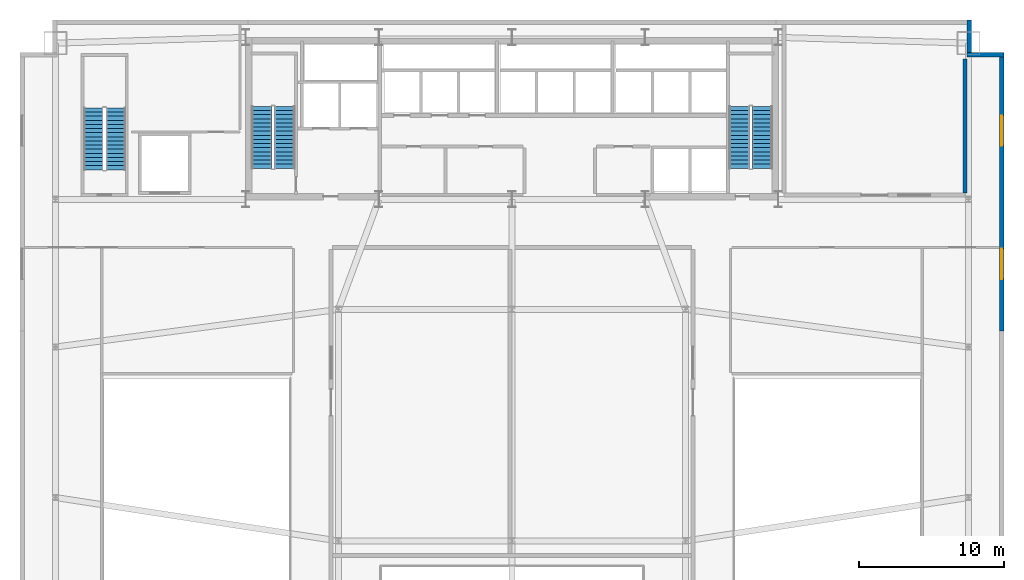
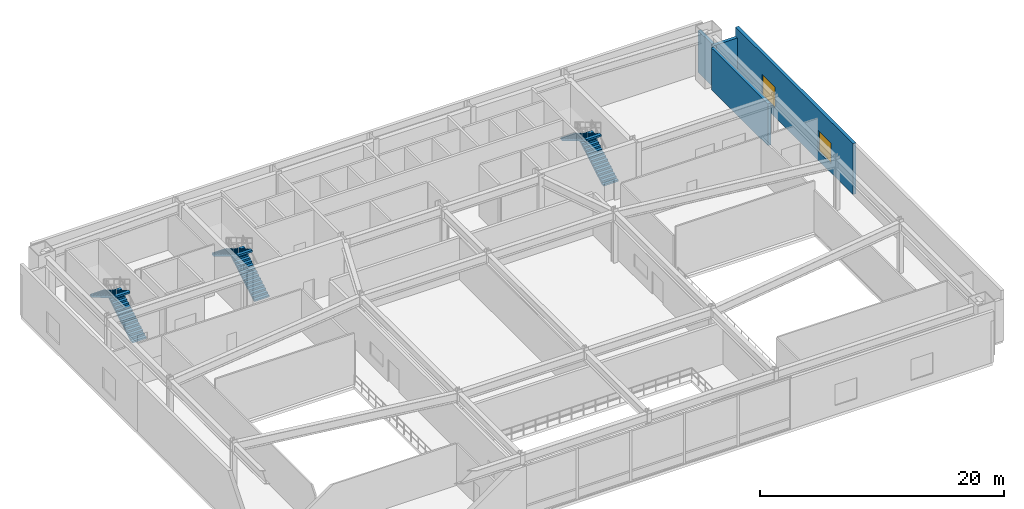
# One storey, part 11 of 13: 6 stair flights, 4 walls, 2 windows, 2 openings, 3 elements without a shape of their own.
"""IFC4 building model written with IfcOpenShell, lengths in metres."""

from ifc_helpers import new_model, si_unit, direction, frame, frame_2d, origin, place, context, subcontext, project, spatial, polyline, rectangle, outline, extrude, source, transform, mapped, material, layer, layer_set, type_object, type_shapes, element, fill, aggregate, save


model = new_model("IFC4")

# Units and contexts
model_context = context("Model", 3, precision=1e-05, world=origin(), true_north=direction((0.0, 1.0)))
body_context = subcontext(model_context, "Body", "Model", "MODEL_VIEW")
ifc_project = project(units=[si_unit("LENGTHUNIT", "METRE"), si_unit("AREAUNIT", "SQUARE_METRE"), si_unit("VOLUMEUNIT", "CUBIC_METRE"), si_unit("PLANEANGLEUNIT", "RADIAN"), si_unit("MASSUNIT", "GRAM", prefix="KILO")], contexts=[model_context])

# Site, building, storey
site_placement = place(None, origin())
site = spatial("IfcSite", under=ifc_project, at=site_placement, CompositionType="ELEMENT")
building_placement = place(site_placement, origin())
building = spatial("IfcBuilding", under=site, at=building_placement, Name="Varnel Quay Broadcast Tower", CompositionType="ELEMENT")
storey_placement = place(building_placement, frame((0.0, 0.0, 6.0)))
storey = spatial("IfcBuildingStorey", under=building, at=storey_placement, Name="L01", CompositionType="ELEMENT", Elevation=6.0)

# Wall, openings, windows
ifc_material_1 = material(Name="Precast Architectural Concrete C40/50", Category="concrete")
ifc_layer_1 = layer(ifc_material_1, 0.300048828125, Name="Precast Architectural Concrete C40/50")
ifc_layer_set_1 = layer_set([ifc_layer_1], Name="Precast Architectural Concrete C40/50")
wall_type_1 = type_object("IfcWallType", Name="Wall_ExtPodium300", PredefinedType="SOLIDWALL", material=ifc_layer_set_1)
wall_1_placement = place(storey_placement, frame((67.85009765625, 26.5, 0.0), z_axis=(0.0, 0.0, 1.0), x_axis=(0.0, 1.0, 0.0)))
wall_1 = element("IfcWall", 1, at=wall_1_placement, inside=storey, type_object=wall_type_1, Name="L01 Podium Acoustic Exterior Wall E2", PredefinedType="SOLIDWALL", context=body_context, shape_type="SweptSolid", body=[
    extrude(rectangle(XDim=19.25, YDim=0.300048828125, at=frame_2d((9.625, 0.0))), origin(), (0.0, 0.0, 1.0), 5.10009765625),
])
opening_1_placement = place(wall_1_placement, frame((3.60009765625, 0.0, 0.89990234375)))
opening_1 = element("IfcOpeningElement", 2, at=opening_1_placement, cuts=wall_1, Name="Opening W-03", PredefinedType="OPENING", context=body_context, shape_type="SweptSolid", body=[
    extrude(rectangle(XDim=2.10009765625, YDim=2.10009765625, at=frame_2d((1.050048828125, 1.050048828125))), frame((0.0, 0.16015625, 0.0), z_axis=(0.0, -1.0, 0.0), x_axis=(1.0, 0.0, 0.0)), (0.0, 0.0, 1.0), 0.320068359375),
])
opening_2_placement = place(wall_1_placement, frame((12.800048828125, 0.0, 0.89990234375)))
opening_2 = element("IfcOpeningElement", 3, at=opening_2_placement, cuts=wall_1, Name="Opening W-03", PredefinedType="OPENING", context=body_context, shape_type="SweptSolid", body=[
    extrude(rectangle(XDim=2.10009765625, YDim=2.10009765625, at=frame_2d((1.050048828125, 1.050048828125))), frame((0.0, 0.16015625, 0.0), z_axis=(0.0, -1.0, 0.0), x_axis=(1.0, 0.0, 0.0)), (0.0, 0.0, 1.0), 0.320068359375),
])
ifc_material_2 = material(Name="Triple-Glazed Bronze Low-E Architectural Glass", Category="glass")
window_type = type_object("IfcWindowType", Name="Win_PodiumGallery2100", PartitioningType="DOUBLE_PANEL_VERTICAL", PredefinedType="WINDOW", material=ifc_material_2)
shared_shape = source(origin(), body_context, "Body", "SweptSolid", [
    extrude(rectangle(XDim=2.10009765625, YDim=2.10009765625, at=frame_2d((1.050048828125, 1.050048828125))), frame((0.0, 0.030029296875, 0.0), z_axis=(0.0, -1.0, 0.0), x_axis=(1.0, 0.0, 0.0)), (0.0, 0.0, 1.0), 0.06005859375),
])
type_shapes(window_type, [shared_shape])
window_1_placement = place(opening_1_placement, origin())
window_1 = element("IfcWindow", 4, at=window_1_placement, inside=storey, type_object=window_type, Name="L01 Podium Window E2-1", OverallHeight=2.10009765625, OverallWidth=2.10009765625, PartitioningType="DOUBLE_PANEL_VERTICAL", PredefinedType="WINDOW", context=body_context, shape_type="MappedRepresentation", body=[
    mapped(shared_shape, transform((0.0, 0.0, 0.0), x_axis=(1.0, 0.0, 0.0), y_axis=(0.0, 1.0, 0.0), z_axis=(0.0, 0.0, 1.0), scale=1.0)),
])
fill(opening_1, window_1)
window_2_placement = place(opening_2_placement, origin())
window_2 = element("IfcWindow", 5, at=window_2_placement, inside=storey, type_object=window_type, Name="L01 Podium Window E2-2", OverallHeight=2.10009765625, OverallWidth=2.10009765625, PartitioningType="DOUBLE_PANEL_VERTICAL", PredefinedType="WINDOW", context=body_context, shape_type="MappedRepresentation", body=[
    mapped(shared_shape, transform((0.0, 0.0, 0.0), x_axis=(1.0, 0.0, 0.0), y_axis=(0.0, 1.0, 0.0), z_axis=(0.0, 0.0, 1.0), scale=1.0)),
])
fill(opening_2, window_2)

# Walls
for number, where, z_axis, x_axis, name in (
    (6, (65.449951171875, 45.60009765625, 0.0), (0.0, 0.0, 1.0), (1.0, 0.0, 0.0), "L01 Podium Acoustic Exterior Wall NNE1"),
    (7, (65.60009765625, 45.449951171875, 0.0), (0.0, 0.0, 1.0), (0.0, 1.0, 0.0), "L01 Podium Acoustic Exterior Wall NNE2"),
):
    element("IfcWall", number, at=place(storey_placement, frame(where, z_axis=z_axis, x_axis=x_axis)), inside=storey, type_object=wall_type_1, Name=name, PredefinedType="SOLIDWALL", context=body_context, shape_type="SweptSolid", body=[
        extrude(rectangle(XDim=2.550048828125, YDim=0.300048828125, at=frame_2d((1.27490234375, 0.0))), origin(), (0.0, 0.0, 1.0), 4.18310546875),
    ])
ifc_material_3 = material(Name="Double-Leaf Isolated Acoustic Studio Wall Concrete C40/50", Category="concrete")
ifc_layer_2 = layer(ifc_material_3, 0.280029296875, Name="Double-Leaf Isolated Acoustic Studio Wall Concrete C40/50")
ifc_layer_set_2 = layer_set([ifc_layer_2], Name="Double-Leaf Isolated Acoustic Studio Wall Concrete C40/50")
wall_type_2 = type_object("IfcWallType", Name="Wall_StudioAcoustic280", PredefinedType="SOLIDWALL", material=ifc_layer_set_2)
wall_2_placement = place(storey_placement, frame((65.300048828125, 36.0400390625, 0.0), z_axis=(0.0, 0.0, 1.0), x_axis=(0.0, 1.0, 0.0)))
element("IfcWall", 8, at=wall_2_placement, inside=storey, type_object=wall_type_2, Name="L01 Wardrobe & Makeup Studio Office Partition 30", PredefinedType="SOLIDWALL", context=body_context, shape_type="SweptSolid", body=[
    extrude(rectangle(XDim=9.260009765625, YDim=0.280029296875, at=frame_2d((4.6298828125, 0.0))), origin(), (0.0, 0.0, 1.0), 4.18310546875),
])

# Stair, stair flights
ifc_material_4 = material(Name="Precast Structural Concrete C40/50", Category="concrete")
stair_type_1 = type_object("IfcStairType", Name="Stair_ST-01", PredefinedType="HALF_TURN_STAIR", material=ifc_material_4)
stair_1_placement = place(storey_placement, origin())
stair_1 = element("IfcStair", 9, at=stair_1_placement, inside=storey, type_object=stair_type_1, Name="L01 West Core Exit Stair 1", PredefinedType="HALF_TURN_STAIR")
stair_flight_type_1 = type_object("IfcStairFlightType", Name="Flight_ST-01", PredefinedType="STRAIGHT", material=ifc_material_4)
stair_flight_1_placement = place(storey_placement, frame((18.300048828125, 37.75, 0.0), z_axis=(0.0, 0.0, 1.0), x_axis=(0.0, 1.0, 0.0)))
stair_flight_1 = element("IfcStairFlight", 10, at=stair_flight_1_placement, type_object=stair_flight_type_1, Name="ST-01 flight 1", NumberOfRisers=16, NumberOfTreads=15, PredefinedType="STRAIGHT", RiserHeight=0.16875, TreadLength=0.285, context=body_context, shape_type="SweptSolid", body=[
    extrude(outline(polyline([(0.0, 0.0), (0.0, 0.168701171875), (0.284912109375, 0.168701171875), (0.284912109375, 0.33740234375), (0.570068359375, 0.33740234375), (0.570068359375, 0.50634765625), (0.85498046875, 0.50634765625), (0.85498046875, 0.675048828125), (1.139892578125, 0.675048828125), (1.139892578125, 0.84375), (1.425048828125, 0.84375), (1.425048828125, 1.012451171875), (1.7099609375, 1.012451171875), (1.7099609375, 1.18115234375), (1.9951171875, 1.18115234375), (1.9951171875, 1.35009765625), (2.280029296875, 1.35009765625), (2.280029296875, 1.518798828125), (2.56494140625, 1.518798828125), (2.56494140625, 1.6875), (2.85009765625, 1.6875), (2.85009765625, 1.856201171875), (3.135009765625, 1.856201171875), (3.135009765625, 2.02490234375), (3.419921875, 2.02490234375), (3.419921875, 2.19384765625), (3.705078125, 2.19384765625), (3.705078125, 2.362548828125), (3.989990234375, 2.362548828125), (3.989990234375, 2.53125), (4.27490234375, 2.53125), (4.27490234375, 2.699951171875), (4.27490234375, 2.35693359375), (0.294189453125, 0.0), (0.0, 0.0)])), frame((0.0, 0.699951171875, 0.0), z_axis=(0.0, -1.0, 0.0), x_axis=(1.0, 0.0, 0.0)), (0.0, 0.0, 1.0), 1.39990234375),
])
stair_flight_2_placement = place(storey_placement, frame((16.699951171875, 42.02490234375, 2.699951171875), z_axis=(0.0, 0.0, 1.0), x_axis=(0.0, -1.0, 0.0)))
stair_flight_2 = element("IfcStairFlight", 11, at=stair_flight_2_placement, type_object=stair_flight_type_1, Name="ST-01 flight 2", NumberOfRisers=16, NumberOfTreads=15, PredefinedType="STRAIGHT", RiserHeight=0.16875, TreadLength=0.285, context=body_context, shape_type="SweptSolid", body=[
    extrude(outline(polyline([(0.0, 0.0), (0.0, 0.168701171875), (0.284912109375, 0.168701171875), (0.284912109375, 0.33740234375), (0.570068359375, 0.33740234375), (0.570068359375, 0.50634765625), (0.85498046875, 0.50634765625), (0.85498046875, 0.675048828125), (1.139892578125, 0.675048828125), (1.139892578125, 0.84375), (1.425048828125, 0.84375), (1.425048828125, 1.012451171875), (1.7099609375, 1.012451171875), (1.7099609375, 1.18115234375), (1.9951171875, 1.18115234375), (1.9951171875, 1.35009765625), (2.280029296875, 1.35009765625), (2.280029296875, 1.518798828125), (2.56494140625, 1.518798828125), (2.56494140625, 1.6875), (2.85009765625, 1.6875), (2.85009765625, 1.856201171875), (3.135009765625, 1.856201171875), (3.135009765625, 2.02490234375), (3.419921875, 2.02490234375), (3.419921875, 2.19384765625), (3.705078125, 2.19384765625), (3.705078125, 2.362548828125), (3.989990234375, 2.362548828125), (3.989990234375, 2.53125), (4.27490234375, 2.53125), (4.27490234375, 2.699951171875), (4.27490234375, 2.35693359375), (0.294189453125, 0.0), (0.0, 0.0)])), frame((0.0, 0.699951171875, 0.0), z_axis=(0.0, -1.0, 0.0), x_axis=(1.0, 0.0, 0.0)), (0.0, 0.0, 1.0), 1.39990234375),
])
aggregate(stair_1, [stair_flight_1, stair_flight_2])

stair_type_2 = type_object("IfcStairType", Name="Stair_ST-02", PredefinedType="HALF_TURN_STAIR", material=ifc_material_4)
stair_2_placement = place(storey_placement, origin())
stair_2 = element("IfcStair", 12, at=stair_2_placement, inside=storey, type_object=stair_type_2, Name="L01 East Core Exit Stair 2", PredefinedType="HALF_TURN_STAIR")
stair_flight_type_2 = type_object("IfcStairFlightType", Name="Flight_ST-02", PredefinedType="STRAIGHT", material=ifc_material_4)
stair_flight_3_placement = place(storey_placement, frame((51.300048828125, 37.75, 0.0), z_axis=(0.0, 0.0, 1.0), x_axis=(0.0, 1.0, 0.0)))
stair_flight_3 = element("IfcStairFlight", 13, at=stair_flight_3_placement, type_object=stair_flight_type_2, Name="ST-02 flight 1", NumberOfRisers=16, NumberOfTreads=15, PredefinedType="STRAIGHT", RiserHeight=0.16875, TreadLength=0.285, context=body_context, shape_type="SweptSolid", body=[
    extrude(outline(polyline([(0.0, 0.0), (0.0, 0.168701171875), (0.284912109375, 0.168701171875), (0.284912109375, 0.33740234375), (0.570068359375, 0.33740234375), (0.570068359375, 0.50634765625), (0.85498046875, 0.50634765625), (0.85498046875, 0.675048828125), (1.139892578125, 0.675048828125), (1.139892578125, 0.84375), (1.425048828125, 0.84375), (1.425048828125, 1.012451171875), (1.7099609375, 1.012451171875), (1.7099609375, 1.18115234375), (1.9951171875, 1.18115234375), (1.9951171875, 1.35009765625), (2.280029296875, 1.35009765625), (2.280029296875, 1.518798828125), (2.56494140625, 1.518798828125), (2.56494140625, 1.6875), (2.85009765625, 1.6875), (2.85009765625, 1.856201171875), (3.135009765625, 1.856201171875), (3.135009765625, 2.02490234375), (3.419921875, 2.02490234375), (3.419921875, 2.19384765625), (3.705078125, 2.19384765625), (3.705078125, 2.362548828125), (3.989990234375, 2.362548828125), (3.989990234375, 2.53125), (4.27490234375, 2.53125), (4.27490234375, 2.699951171875), (4.27490234375, 2.35693359375), (0.294189453125, 0.0), (0.0, 0.0)])), frame((0.0, 0.699951171875, 0.0), z_axis=(0.0, -1.0, 0.0), x_axis=(1.0, 0.0, 0.0)), (0.0, 0.0, 1.0), 1.39990234375),
])
stair_flight_4_placement = place(storey_placement, frame((49.699951171875, 42.02490234375, 2.699951171875), z_axis=(0.0, 0.0, 1.0), x_axis=(0.0, -1.0, 0.0)))
stair_flight_4 = element("IfcStairFlight", 14, at=stair_flight_4_placement, type_object=stair_flight_type_2, Name="ST-02 flight 2", NumberOfRisers=16, NumberOfTreads=15, PredefinedType="STRAIGHT", RiserHeight=0.16875, TreadLength=0.285, context=body_context, shape_type="SweptSolid", body=[
    extrude(outline(polyline([(0.0, 0.0), (0.0, 0.168701171875), (0.284912109375, 0.168701171875), (0.284912109375, 0.33740234375), (0.570068359375, 0.33740234375), (0.570068359375, 0.50634765625), (0.85498046875, 0.50634765625), (0.85498046875, 0.675048828125), (1.139892578125, 0.675048828125), (1.139892578125, 0.84375), (1.425048828125, 0.84375), (1.425048828125, 1.012451171875), (1.7099609375, 1.012451171875), (1.7099609375, 1.18115234375), (1.9951171875, 1.18115234375), (1.9951171875, 1.35009765625), (2.280029296875, 1.35009765625), (2.280029296875, 1.518798828125), (2.56494140625, 1.518798828125), (2.56494140625, 1.6875), (2.85009765625, 1.6875), (2.85009765625, 1.856201171875), (3.135009765625, 1.856201171875), (3.135009765625, 2.02490234375), (3.419921875, 2.02490234375), (3.419921875, 2.19384765625), (3.705078125, 2.19384765625), (3.705078125, 2.362548828125), (3.989990234375, 2.362548828125), (3.989990234375, 2.53125), (4.27490234375, 2.53125), (4.27490234375, 2.699951171875), (4.27490234375, 2.35693359375), (0.294189453125, 0.0), (0.0, 0.0)])), frame((0.0, 0.699951171875, 0.0), z_axis=(0.0, -1.0, 0.0), x_axis=(1.0, 0.0, 0.0)), (0.0, 0.0, 1.0), 1.39990234375),
])
aggregate(stair_2, [stair_flight_3, stair_flight_4])

stair_type_3 = type_object("IfcStairType", Name="Stair_ST-03", PredefinedType="HALF_TURN_STAIR", material=ifc_material_4)
stair_3_placement = place(storey_placement, origin())
stair_3 = element("IfcStair", 15, at=stair_3_placement, inside=storey, type_object=stair_type_3, Name="L01 Podium Studio Exit Stair 3", PredefinedType="HALF_TURN_STAIR")
stair_flight_type_3 = type_object("IfcStairFlightType", Name="Flight_ST-03", PredefinedType="STRAIGHT", material=ifc_material_4)
stair_flight_5_placement = place(storey_placement, frame((6.625, 37.64990234375, 0.0), z_axis=(0.0, 0.0, 1.0), x_axis=(0.0, 1.0, 0.0)))
stair_flight_5 = element("IfcStairFlight", 16, at=stair_flight_5_placement, type_object=stair_flight_type_3, Name="ST-03 flight 1", NumberOfRisers=16, NumberOfTreads=15, PredefinedType="STRAIGHT", RiserHeight=0.16875, TreadLength=0.285, context=body_context, shape_type="SweptSolid", body=[
    extrude(outline(polyline([(0.0, 0.0), (0.0, 0.168701171875), (0.284912109375, 0.168701171875), (0.284912109375, 0.33740234375), (0.570068359375, 0.33740234375), (0.570068359375, 0.50634765625), (0.85498046875, 0.50634765625), (0.85498046875, 0.675048828125), (1.139892578125, 0.675048828125), (1.139892578125, 0.84375), (1.425048828125, 0.84375), (1.425048828125, 1.012451171875), (1.7099609375, 1.012451171875), (1.7099609375, 1.18115234375), (1.9951171875, 1.18115234375), (1.9951171875, 1.35009765625), (2.280029296875, 1.35009765625), (2.280029296875, 1.518798828125), (2.56494140625, 1.518798828125), (2.56494140625, 1.6875), (2.85009765625, 1.6875), (2.85009765625, 1.856201171875), (3.135009765625, 1.856201171875), (3.135009765625, 2.02490234375), (3.419921875, 2.02490234375), (3.419921875, 2.19384765625), (3.705078125, 2.19384765625), (3.705078125, 2.362548828125), (3.989990234375, 2.362548828125), (3.989990234375, 2.53125), (4.27490234375, 2.53125), (4.27490234375, 2.699951171875), (4.27490234375, 2.35693359375), (0.294189453125, 0.0), (0.0, 0.0)])), frame((0.0, 0.675048828125, 0.0), z_axis=(0.0, -1.0, 0.0), x_axis=(1.0, 0.0, 0.0)), (0.0, 0.0, 1.0), 1.35009765625),
])
stair_flight_6_placement = place(storey_placement, frame((5.074951171875, 41.925048828125, 2.699951171875), z_axis=(0.0, 0.0, 1.0), x_axis=(0.0, -1.0, 0.0)))
stair_flight_6 = element("IfcStairFlight", 17, at=stair_flight_6_placement, type_object=stair_flight_type_3, Name="ST-03 flight 2", NumberOfRisers=16, NumberOfTreads=15, PredefinedType="STRAIGHT", RiserHeight=0.16875, TreadLength=0.285, context=body_context, shape_type="SweptSolid", body=[
    extrude(outline(polyline([(0.0, 0.0), (0.0, 0.168701171875), (0.284912109375, 0.168701171875), (0.284912109375, 0.33740234375), (0.570068359375, 0.33740234375), (0.570068359375, 0.50634765625), (0.85498046875, 0.50634765625), (0.85498046875, 0.675048828125), (1.139892578125, 0.675048828125), (1.139892578125, 0.84375), (1.425048828125, 0.84375), (1.425048828125, 1.012451171875), (1.7099609375, 1.012451171875), (1.7099609375, 1.18115234375), (1.9951171875, 1.18115234375), (1.9951171875, 1.35009765625), (2.280029296875, 1.35009765625), (2.280029296875, 1.518798828125), (2.56494140625, 1.518798828125), (2.56494140625, 1.6875), (2.85009765625, 1.6875), (2.85009765625, 1.856201171875), (3.135009765625, 1.856201171875), (3.135009765625, 2.02490234375), (3.419921875, 2.02490234375), (3.419921875, 2.19384765625), (3.705078125, 2.19384765625), (3.705078125, 2.362548828125), (3.989990234375, 2.362548828125), (3.989990234375, 2.53125), (4.27490234375, 2.53125), (4.27490234375, 2.699951171875), (4.27490234375, 2.35693359375), (0.294189453125, 0.0), (0.0, 0.0)])), frame((0.0, 0.675048828125, 0.0), z_axis=(0.0, -1.0, 0.0), x_axis=(1.0, 0.0, 0.0)), (0.0, 0.0, 1.0), 1.35009765625),
])
aggregate(stair_3, [stair_flight_5, stair_flight_6])

save(model, "model.ifc")
